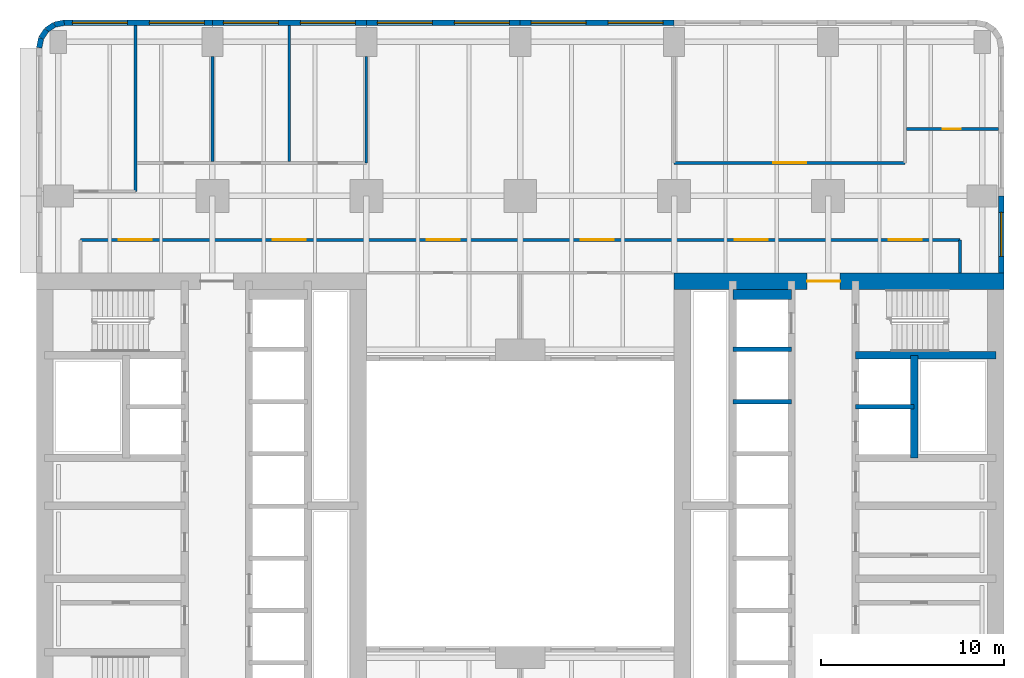
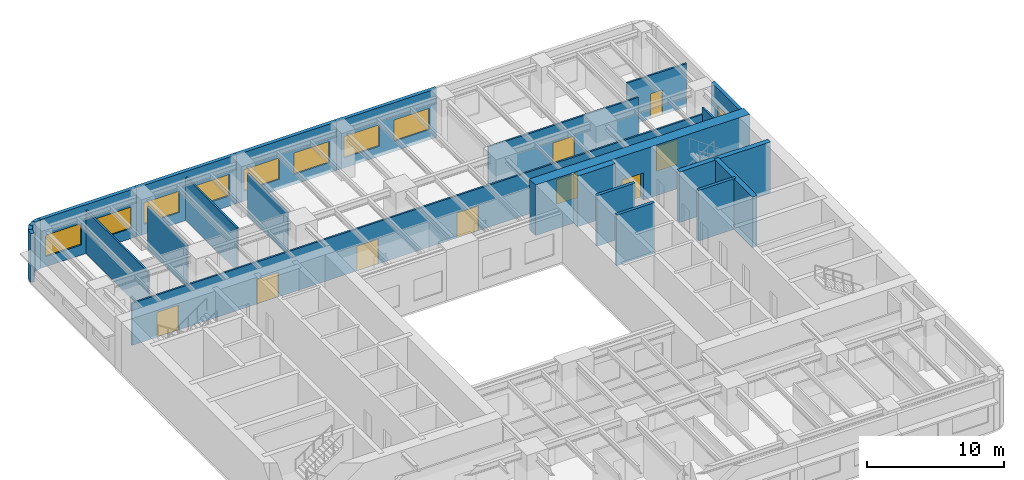
# One storey, part 7 of 14: 24 walls, 9 doors, 9 windows, 18 openings.
"""IFC4 building model written with IfcOpenShell, lengths in metres."""

from ifc_helpers import new_model, si_unit, direction, frame, frame_2d, origin, place, context, subcontext, project, spatial, rectangle, extrude, material, layer, layer_set, type_object, element, fill, save


model = new_model("IFC4")

# Units and contexts
model_context = context("Model", 3, precision=1e-05, world=origin(), true_north=direction((0.0, 1.0)))
body_context = subcontext(model_context, "Body", "Model", "MODEL_VIEW")
ifc_project = project(units=[si_unit("LENGTHUNIT", "METRE"), si_unit("AREAUNIT", "SQUARE_METRE"), si_unit("VOLUMEUNIT", "CUBIC_METRE"), si_unit("PLANEANGLEUNIT", "RADIAN"), si_unit("MASSUNIT", "GRAM", prefix="KILO")], contexts=[model_context])

# Site, building, storey
site_placement = place(None, origin())
site = spatial("IfcSite", under=ifc_project, at=site_placement, CompositionType="ELEMENT")
building_placement = place(site_placement, origin())
building = spatial("IfcBuilding", under=site, at=building_placement, Name="Claustro Exchange Tower", CompositionType="ELEMENT")
storey_placement = place(building_placement, frame((0.0, 0.0, 72.89990234375)))
storey = spatial("IfcBuildingStorey", under=building, at=storey_placement, Name="L16", CompositionType="ELEMENT", Elevation=72.89990234375)

# Walls
ifc_material_1 = material(Name="Gypsum board on steel studs", Category="steel")
ifc_layer_1 = layer(ifc_material_1, 0.14990234375)
ifc_layer_set_1 = layer_set([ifc_layer_1], Name="Gypsum board on steel studs")
wall_type_1 = type_object("IfcWallType", Name="P1 150 plasterboard partition", PredefinedType="PARTITIONING", material=ifc_layer_set_1)
wall_1_placement = place(storey_placement, frame((4.199951171875, 42.25, 0.0), z_axis=(0.0, 0.0, 1.0), x_axis=(0.0, 1.0, 0.0)))
element("IfcWall", 1, at=wall_1_placement, inside=storey, type_object=wall_type_1, Name="Partition P1 L16", PredefinedType="PARTITIONING", context=body_context, shape_type="SweptSolid", body=[
    extrude(rectangle(XDim=9.052001953125, YDim=0.14990234375, at=frame_2d((4.52587890625, 0.0))), origin(), (0.0, 0.0, 1.0), 3.840087890625),
])
wall_2_placement = place(storey_placement, frame((8.39990234375, 43.8740234375, 0.0), z_axis=(0.0, 0.0, 1.0), x_axis=(0.0, 1.0, 0.0)))
element("IfcWall", 2, at=wall_2_placement, inside=storey, type_object=wall_type_1, Name="Partition P1 L16", PredefinedType="PARTITIONING", context=body_context, shape_type="SweptSolid", body=[
    extrude(rectangle(XDim=5.72705078125, YDim=0.14990234375, at=frame_2d((2.863525390625, 0.0))), origin(), (0.0, 0.0, 1.0), 3.739990234375),
])
wall_3_placement = place(storey_placement, frame((12.60009765625, 43.8740234375, 0.0), z_axis=(0.0, 0.0, 1.0), x_axis=(0.0, 1.0, 0.0)))
element("IfcWall", 3, at=wall_3_placement, inside=storey, type_object=wall_type_1, Name="Partition P1 L16", PredefinedType="PARTITIONING", context=body_context, shape_type="SweptSolid", body=[
    extrude(rectangle(XDim=7.427978515625, YDim=0.14990234375, at=frame_2d((3.7138671875, 0.0))), origin(), (0.0, 0.0, 1.0), 3.840087890625),
])
wall_4_placement = place(storey_placement, frame((16.800048828125, 43.800048828125, 0.0), z_axis=(0.0, 0.0, 1.0), x_axis=(0.0, 1.0, 0.0)))
element("IfcWall", 4, at=wall_4_placement, inside=storey, type_object=wall_type_1, Name="Partition P1 L16", PredefinedType="PARTITIONING", context=body_context, shape_type="SweptSolid", body=[
    extrude(rectangle(XDim=5.801025390625, YDim=0.14990234375, at=frame_2d((2.900390625, 0.0))), origin(), (0.0, 0.0, 1.0), 3.739990234375),
])

# Wall, opening, door
wall_5_placement = place(storey_placement, frame((46.27392578125, 45.64990234375, 0.0), z_axis=(0.0, 0.0, 1.0), x_axis=(1.0, 0.0, 0.0)))
wall_5 = element("IfcWall", 5, at=wall_5_placement, inside=storey, type_object=wall_type_1, Name="Partition P1 L16", PredefinedType="PARTITIONING", context=body_context, shape_type="SweptSolid", body=[
    extrude(rectangle(XDim=5.028076171875, YDim=0.14990234375, at=frame_2d((2.51416015625, 0.0))), origin(), (0.0, 0.0, 1.0), 3.840087890625),
])
opening_1_placement = place(wall_5_placement, frame((1.97607421875, 0.0, 0.0)))
opening_1 = element("IfcOpeningElement", 6, at=opening_1_placement, cuts=wall_5, Name="Opening D1", PredefinedType="OPENING", context=body_context, shape_type="SweptSolid", body=[
    extrude(rectangle(XDim=1.0, YDim=2.199951171875, at=frame_2d((0.5, 1.10009765625))), frame((0.0, 0.0849609375, 0.0), z_axis=(0.0, -1.0, 0.0), x_axis=(1.0, 0.0, 0.0)), (0.0, 0.0, 1.0), 0.169921875),
])
ifc_material_2 = material(Name="Timber door, oak veneer", Category="wood")
door_type_1 = type_object("IfcDoorType", Name="D1 1000 x 2200 single door", OperationType="SINGLE_SWING_LEFT", PredefinedType="DOOR", material=ifc_material_2)
door_1_placement = place(opening_1_placement, origin())
door_1 = element("IfcDoor", 7, at=door_1_placement, inside=storey, type_object=door_type_1, Name="Door D1 L16", OperationType="SINGLE_SWING_LEFT", OverallHeight=2.199951171875, OverallWidth=1.0, PredefinedType="DOOR", context=body_context, shape_type="SweptSolid", body=[
    extrude(rectangle(XDim=1.0, YDim=2.199951171875, at=frame_2d((0.5, 1.10009765625))), frame((0.0, 0.02490234375, 0.0), z_axis=(0.0, -1.0, 0.0), x_axis=(1.0, 0.0, 0.0)), (0.0, 0.0, 1.0), 0.050048828125),
])
fill(opening_1, door_1)

wall_6_placement = place(storey_placement, frame((33.60009765625, 43.800048828125, 0.0), z_axis=(0.0, 0.0, 1.0), x_axis=(1.0, 0.0, 0.0)))
wall_6 = element("IfcWall", 8, at=wall_6_placement, inside=storey, type_object=wall_type_1, Name="Partition P1 L16", PredefinedType="PARTITIONING", context=body_context, shape_type="SweptSolid", body=[
    extrude(rectangle(XDim=12.599853515625, YDim=0.14990234375, at=frame_2d((6.2998046875, 0.0))), origin(), (0.0, 0.0, 1.0), 3.739990234375),
])
opening_2_placement = place(wall_6_placement, frame((5.39990234375, 0.0, 0.0)))
opening_2 = element("IfcOpeningElement", 9, at=opening_2_placement, cuts=wall_6, Name="Opening D2", PredefinedType="OPENING", context=body_context, shape_type="SweptSolid", body=[
    extrude(rectangle(XDim=1.800048828125, YDim=2.199951171875, at=frame_2d((0.89990234375, 1.10009765625))), frame((0.0, 0.0849609375, 0.0), z_axis=(0.0, -1.0, 0.0), x_axis=(1.0, 0.0, 0.0)), (0.0, 0.0, 1.0), 0.169921875),
])
ifc_material_3 = material(Name="Timber door, oak veneer", Category="wood")
door_type_2 = type_object("IfcDoorType", Name="D2 1800 x 2200 double door", OperationType="DOUBLE_DOOR_SINGLE_SWING", PredefinedType="DOOR", material=ifc_material_3)
door_2_placement = place(opening_2_placement, frame((1.800048828125, 0.0, 0.0), z_axis=(0.0, 0.0, 1.0), x_axis=(-1.0, 0.0, 0.0)))
door_2 = element("IfcDoor", 10, at=door_2_placement, inside=storey, type_object=door_type_2, Name="Double door D2 L16", OperationType="DOUBLE_DOOR_SINGLE_SWING", OverallHeight=2.199951171875, OverallWidth=1.800048828125, PredefinedType="DOOR", context=body_context, shape_type="SweptSolid", body=[
    extrude(rectangle(XDim=1.800048828125, YDim=2.199951171875, at=frame_2d((0.89990234375, 1.10009765625))), frame((0.0, 0.02490234375, 0.0), z_axis=(0.0, -1.0, 0.0), x_axis=(1.0, 0.0, 0.0)), (0.0, 0.0, 1.0), 0.050048828125),
])
fill(opening_2, door_2)

# Wall, openings, doors
wall_7_placement = place(storey_placement, frame((1.199951171875, 39.60009765625, 0.0), z_axis=(0.0, 0.0, 1.0), x_axis=(1.0, 0.0, 0.0)))
wall_7 = element("IfcWall", 11, at=wall_7_placement, inside=storey, type_object=wall_type_1, Name="Partition P1 L16", PredefinedType="PARTITIONING", context=body_context, shape_type="SweptSolid", body=[
    extrude(rectangle(XDim=48.0, YDim=0.14990234375, at=frame_2d((24.0, 0.0))), origin(), (0.0, 0.0, 1.0), 3.739990234375),
])
opening_3_placement = place(wall_7_placement, frame((2.10009765625, 0.0, 0.0)))
opening_3 = element("IfcOpeningElement", 12, at=opening_3_placement, cuts=wall_7, Name="Opening D2", PredefinedType="OPENING", context=body_context, shape_type="SweptSolid", body=[
    extrude(rectangle(XDim=1.800048828125, YDim=2.199951171875, at=frame_2d((0.89990234375, 1.10009765625))), frame((0.0, 0.0849609375, 0.0), z_axis=(0.0, -1.0, 0.0), x_axis=(1.0, 0.0, 0.0)), (0.0, 0.0, 1.0), 0.169921875),
])
opening_4_placement = place(wall_7_placement, frame((10.5, 0.0, 0.0)))
opening_4 = element("IfcOpeningElement", 13, at=opening_4_placement, cuts=wall_7, Name="Opening D2", PredefinedType="OPENING", context=body_context, shape_type="SweptSolid", body=[
    extrude(rectangle(XDim=1.800048828125, YDim=2.199951171875, at=frame_2d((0.89990234375, 1.10009765625))), frame((0.0, 0.0849609375, 0.0), z_axis=(0.0, -1.0, 0.0), x_axis=(1.0, 0.0, 0.0)), (0.0, 0.0, 1.0), 0.169921875),
])
opening_5_placement = place(wall_7_placement, frame((18.89990234375, 0.0, 0.0)))
opening_5 = element("IfcOpeningElement", 14, at=opening_5_placement, cuts=wall_7, Name="Opening D2", PredefinedType="OPENING", context=body_context, shape_type="SweptSolid", body=[
    extrude(rectangle(XDim=1.800048828125, YDim=2.199951171875, at=frame_2d((0.89990234375, 1.10009765625))), frame((0.0, 0.0849609375, 0.0), z_axis=(0.0, -1.0, 0.0), x_axis=(1.0, 0.0, 0.0)), (0.0, 0.0, 1.0), 0.169921875),
])
opening_6_placement = place(wall_7_placement, frame((27.300048828125, 0.0, 0.0)))
opening_6 = element("IfcOpeningElement", 15, at=opening_6_placement, cuts=wall_7, Name="Opening D2", PredefinedType="OPENING", context=body_context, shape_type="SweptSolid", body=[
    extrude(rectangle(XDim=1.800048828125, YDim=2.199951171875, at=frame_2d((0.89990234375, 1.10009765625))), frame((0.0, 0.0849609375, 0.0), z_axis=(0.0, -1.0, 0.0), x_axis=(1.0, 0.0, 0.0)), (0.0, 0.0, 1.0), 0.169921875),
])
opening_7_placement = place(wall_7_placement, frame((35.699951171875, 0.0, 0.0)))
opening_7 = element("IfcOpeningElement", 16, at=opening_7_placement, cuts=wall_7, Name="Opening D2", PredefinedType="OPENING", context=body_context, shape_type="SweptSolid", body=[
    extrude(rectangle(XDim=1.800048828125, YDim=2.199951171875, at=frame_2d((0.89990234375, 1.10009765625))), frame((0.0, 0.0849609375, 0.0), z_axis=(0.0, -1.0, 0.0), x_axis=(1.0, 0.0, 0.0)), (0.0, 0.0, 1.0), 0.169921875),
])
opening_8_placement = place(wall_7_placement, frame((44.10009765625, 0.0, 0.0)))
opening_8 = element("IfcOpeningElement", 17, at=opening_8_placement, cuts=wall_7, Name="Opening D2", PredefinedType="OPENING", context=body_context, shape_type="SweptSolid", body=[
    extrude(rectangle(XDim=1.800048828125, YDim=2.199951171875, at=frame_2d((0.89990234375, 1.10009765625))), frame((0.0, 0.0849609375, 0.0), z_axis=(0.0, -1.0, 0.0), x_axis=(1.0, 0.0, 0.0)), (0.0, 0.0, 1.0), 0.169921875),
])
door_3_placement = place(opening_3_placement, origin())
door_3 = element("IfcDoor", 18, at=door_3_placement, inside=storey, type_object=door_type_2, Name="Double door D2 L16", OperationType="DOUBLE_DOOR_SINGLE_SWING", OverallHeight=2.199951171875, OverallWidth=1.800048828125, PredefinedType="DOOR", context=body_context, shape_type="SweptSolid", body=[
    extrude(rectangle(XDim=1.800048828125, YDim=2.199951171875, at=frame_2d((0.89990234375, 1.10009765625))), frame((0.0, 0.02490234375, 0.0), z_axis=(0.0, -1.0, 0.0), x_axis=(1.0, 0.0, 0.0)), (0.0, 0.0, 1.0), 0.050048828125),
])
fill(opening_3, door_3)
door_4_placement = place(opening_4_placement, origin())
door_4 = element("IfcDoor", 19, at=door_4_placement, inside=storey, type_object=door_type_2, Name="Double door D2 L16", OperationType="DOUBLE_DOOR_SINGLE_SWING", OverallHeight=2.199951171875, OverallWidth=1.800048828125, PredefinedType="DOOR", context=body_context, shape_type="SweptSolid", body=[
    extrude(rectangle(XDim=1.800048828125, YDim=2.199951171875, at=frame_2d((0.89990234375, 1.10009765625))), frame((0.0, 0.02490234375, 0.0), z_axis=(0.0, -1.0, 0.0), x_axis=(1.0, 0.0, 0.0)), (0.0, 0.0, 1.0), 0.050048828125),
])
fill(opening_4, door_4)
door_5_placement = place(opening_5_placement, origin())
door_5 = element("IfcDoor", 20, at=door_5_placement, inside=storey, type_object=door_type_2, Name="Double door D2 L16", OperationType="DOUBLE_DOOR_SINGLE_SWING", OverallHeight=2.199951171875, OverallWidth=1.800048828125, PredefinedType="DOOR", context=body_context, shape_type="SweptSolid", body=[
    extrude(rectangle(XDim=1.800048828125, YDim=2.199951171875, at=frame_2d((0.89990234375, 1.10009765625))), frame((0.0, 0.02490234375, 0.0), z_axis=(0.0, -1.0, 0.0), x_axis=(1.0, 0.0, 0.0)), (0.0, 0.0, 1.0), 0.050048828125),
])
fill(opening_5, door_5)
door_6_placement = place(opening_6_placement, origin())
door_6 = element("IfcDoor", 21, at=door_6_placement, inside=storey, type_object=door_type_2, Name="Double door D2 L16", OperationType="DOUBLE_DOOR_SINGLE_SWING", OverallHeight=2.199951171875, OverallWidth=1.800048828125, PredefinedType="DOOR", context=body_context, shape_type="SweptSolid", body=[
    extrude(rectangle(XDim=1.800048828125, YDim=2.199951171875, at=frame_2d((0.89990234375, 1.10009765625))), frame((0.0, 0.02490234375, 0.0), z_axis=(0.0, -1.0, 0.0), x_axis=(1.0, 0.0, 0.0)), (0.0, 0.0, 1.0), 0.050048828125),
])
fill(opening_6, door_6)
door_7_placement = place(opening_7_placement, origin())
door_7 = element("IfcDoor", 22, at=door_7_placement, inside=storey, type_object=door_type_2, Name="Double door D2 L16", OperationType="DOUBLE_DOOR_SINGLE_SWING", OverallHeight=2.199951171875, OverallWidth=1.800048828125, PredefinedType="DOOR", context=body_context, shape_type="SweptSolid", body=[
    extrude(rectangle(XDim=1.800048828125, YDim=2.199951171875, at=frame_2d((0.89990234375, 1.10009765625))), frame((0.0, 0.02490234375, 0.0), z_axis=(0.0, -1.0, 0.0), x_axis=(1.0, 0.0, 0.0)), (0.0, 0.0, 1.0), 0.050048828125),
])
fill(opening_7, door_7)
door_8_placement = place(opening_8_placement, origin())
door_8 = element("IfcDoor", 23, at=door_8_placement, inside=storey, type_object=door_type_2, Name="Double door D2 L16", OperationType="DOUBLE_DOOR_SINGLE_SWING", OverallHeight=2.199951171875, OverallWidth=1.800048828125, PredefinedType="DOOR", context=body_context, shape_type="SweptSolid", body=[
    extrude(rectangle(XDim=1.800048828125, YDim=2.199951171875, at=frame_2d((0.89990234375, 1.10009765625))), frame((0.0, 0.02490234375, 0.0), z_axis=(0.0, -1.0, 0.0), x_axis=(1.0, 0.0, 0.0)), (0.0, 0.0, 1.0), 0.050048828125),
])
fill(opening_8, door_8)

# Walls
wall_8_placement = place(storey_placement, frame((49.199951171875, 37.800048828125, 0.0), z_axis=(0.0, 0.0, 1.0), x_axis=(0.0, 1.0, 0.0)))
element("IfcWall", 24, at=wall_8_placement, inside=storey, type_object=wall_type_1, Name="Partition P1 L16", PredefinedType="PARTITIONING", context=body_context, shape_type="SweptSolid", body=[
    extrude(rectangle(XDim=1.800048828125, YDim=0.14990234375, at=frame_2d((0.89990234375, 0.0))), origin(), (0.0, 0.0, 1.0), 4.340087890625),
])
ifc_material_4 = material(Name="Concrete HA-40 (C40/50), precast, white cement, acid-etched", Category="concrete")
ifc_layer_2 = layer(ifc_material_4, 0.300048828125)
ifc_layer_set_2 = layer_set([ifc_layer_2], Name="Concrete HA-40 (C40/50), precast, white cement, acid-etched")
wall_type_2 = type_object("IfcWallType", Name="PC1 300 precast concrete pier panel", PredefinedType="SOLIDWALL", material=ifc_layer_set_2)
wall_9_placement = place(storey_placement, frame((-1.050048828125, 50.085205078125, 0.0), z_axis=(0.0, 0.0, 1.0), x_axis=(0.195073962632, 0.980788534345, 0.0)))
element("IfcWall", 25, at=wall_9_placement, inside=storey, type_object=wall_type_2, Name="Precast pier panel PC1 L16", PredefinedType="SOLIDWALL", context=body_context, shape_type="SweptSolid", body=[
    extrude(rectangle(XDim=0.540771484375, YDim=0.300048828125, at=frame_2d((0.2705078125, 0.0))), origin(), (0.0, 0.0, 1.0), 4.340087890625),
])
for number, where, z_axis, x_axis, name in (
    (26, (-0.944580078125, 50.615478515625, 0.0), (0.0, 0.0, 1.0), (0.555557463938, 0.831478144188, 0.0), "Precast pier panel PC1 L16"),
    (27, (-0.652587890625, 51.052490234375, 0.0), (0.0, 0.0, 1.0), (0.831478144188, 0.555557463938, 0.0), "Precast pier panel PC1 L16"),
):
    element("IfcWall", number, at=place(storey_placement, frame(where, z_axis=z_axis, x_axis=x_axis)), inside=storey, type_object=wall_type_2, Name=name, PredefinedType="SOLIDWALL", context=body_context, shape_type="SweptSolid", body=[
        extrude(rectangle(XDim=0.525634765625, YDim=0.300048828125, at=frame_2d((0.2626953125, 0.0))), origin(), (0.0, 0.0, 1.0), 4.340087890625),
    ])
wall_10_placement = place(storey_placement, frame((-0.215576171875, 51.344482421875, 0.0), z_axis=(0.0, 0.0, 1.0), x_axis=(0.980788534345, 0.195073962632, 0.0)))
element("IfcWall", 28, at=wall_10_placement, inside=storey, type_object=wall_type_2, Name="Precast pier panel PC1 L16", PredefinedType="SOLIDWALL", context=body_context, shape_type="SweptSolid", body=[
    extrude(rectangle(XDim=0.540771484375, YDim=0.300048828125, at=frame_2d((0.2705078125, 0.0))), origin(), (0.0, 0.0, 1.0), 4.340087890625),
])

# Wall, openings, windows
wall_11_placement = place(storey_placement, frame((0.314697265625, 51.449951171875, 0.0), z_axis=(0.0, 0.0, 1.0), x_axis=(1.0, 0.0, 0.0)))
wall_11 = element("IfcWall", 29, at=wall_11_placement, inside=storey, type_object=wall_type_2, Name="Precast pier panel PC1 L16", PredefinedType="SOLIDWALL", context=body_context, shape_type="SweptSolid", body=[
    extrude(rectangle(XDim=8.085205078125, YDim=0.300048828125, at=frame_2d((4.04248046875, 0.0))), origin(), (0.0, 0.0, 1.0), 4.340087890625),
])
opening_9_placement = place(wall_11_placement, frame((0.442626953125, 0.0, 0.89990234375)))
opening_9 = element("IfcOpeningElement", 30, at=opening_9_placement, cuts=wall_11, Name="Opening W1", PredefinedType="OPENING", context=body_context, shape_type="SweptSolid", body=[
    extrude(rectangle(XDim=3.0, YDim=1.89990234375, at=frame_2d((1.5, 0.949951171875))), frame((0.0, 0.159912109375, 0.0), z_axis=(0.0, -1.0, 0.0), x_axis=(1.0, 0.0, 0.0)), (0.0, 0.0, 1.0), 0.320068359375),
])
opening_10_placement = place(wall_11_placement, frame((4.642578125, 0.0, 0.89990234375)))
opening_10 = element("IfcOpeningElement", 31, at=opening_10_placement, cuts=wall_11, Name="Opening W1", PredefinedType="OPENING", context=body_context, shape_type="SweptSolid", body=[
    extrude(rectangle(XDim=3.0, YDim=1.89990234375, at=frame_2d((1.5, 0.949951171875))), frame((0.0, 0.159912109375, 0.0), z_axis=(0.0, -1.0, 0.0), x_axis=(1.0, 0.0, 0.0)), (0.0, 0.0, 1.0), 0.320068359375),
])
ifc_material_5 = material(Name="Aluminium frame, clear double glazing", Category="aluminium")
window_type_1 = type_object("IfcWindowType", Name="W1 3000 x 1900 window", PartitioningType="SINGLE_PANEL", PredefinedType="WINDOW", material=ifc_material_5)
window_1_placement = place(opening_9_placement, origin())
window_1 = element("IfcWindow", 32, at=window_1_placement, inside=storey, type_object=window_type_1, Name="Window W1 L16", OverallHeight=1.89990234375, OverallWidth=3.0, PartitioningType="SINGLE_PANEL", PredefinedType="WINDOW", context=body_context, shape_type="SweptSolid", body=[
    extrude(rectangle(XDim=3.0, YDim=1.89990234375, at=frame_2d((1.5, 0.949951171875))), frame((0.0, 0.030029296875, 0.0), z_axis=(0.0, -1.0, 0.0), x_axis=(1.0, 0.0, 0.0)), (0.0, 0.0, 1.0), 0.06005859375),
])
fill(opening_9, window_1)
window_2_placement = place(opening_10_placement, origin())
window_2 = element("IfcWindow", 33, at=window_2_placement, inside=storey, type_object=window_type_1, Name="Window W1 L16", OverallHeight=1.89990234375, OverallWidth=3.0, PartitioningType="SINGLE_PANEL", PredefinedType="WINDOW", context=body_context, shape_type="SweptSolid", body=[
    extrude(rectangle(XDim=3.0, YDim=1.89990234375, at=frame_2d((1.5, 0.949951171875))), frame((0.0, 0.030029296875, 0.0), z_axis=(0.0, -1.0, 0.0), x_axis=(1.0, 0.0, 0.0)), (0.0, 0.0, 1.0), 0.06005859375),
])
fill(opening_10, window_2)

wall_12_placement = place(storey_placement, frame((8.39990234375, 51.449951171875, 0.0), z_axis=(0.0, 0.0, 1.0), x_axis=(1.0, 0.0, 0.0)))
wall_12 = element("IfcWall", 34, at=wall_12_placement, inside=storey, type_object=wall_type_2, Name="Precast pier panel PC1 L16", PredefinedType="SOLIDWALL", context=body_context, shape_type="SweptSolid", body=[
    extrude(rectangle(XDim=8.400146484375, YDim=0.300048828125, at=frame_2d((4.2001953125, 0.0))), origin(), (0.0, 0.0, 1.0), 4.340087890625),
])
opening_11_placement = place(wall_12_placement, frame((0.60009765625, 0.0, 0.89990234375)))
opening_11 = element("IfcOpeningElement", 35, at=opening_11_placement, cuts=wall_12, Name="Opening W1", PredefinedType="OPENING", context=body_context, shape_type="SweptSolid", body=[
    extrude(rectangle(XDim=3.0, YDim=1.89990234375, at=frame_2d((1.5, 0.949951171875))), frame((0.0, 0.159912109375, 0.0), z_axis=(0.0, -1.0, 0.0), x_axis=(1.0, 0.0, 0.0)), (0.0, 0.0, 1.0), 0.320068359375),
])
opening_12_placement = place(wall_12_placement, frame((4.800048828125, 0.0, 0.89990234375)))
opening_12 = element("IfcOpeningElement", 36, at=opening_12_placement, cuts=wall_12, Name="Opening W1", PredefinedType="OPENING", context=body_context, shape_type="SweptSolid", body=[
    extrude(rectangle(XDim=3.0, YDim=1.89990234375, at=frame_2d((1.5, 0.949951171875))), frame((0.0, 0.159912109375, 0.0), z_axis=(0.0, -1.0, 0.0), x_axis=(1.0, 0.0, 0.0)), (0.0, 0.0, 1.0), 0.320068359375),
])
window_3_placement = place(opening_11_placement, origin())
window_3 = element("IfcWindow", 37, at=window_3_placement, inside=storey, type_object=window_type_1, Name="Window W1 L16", OverallHeight=1.89990234375, OverallWidth=3.0, PartitioningType="SINGLE_PANEL", PredefinedType="WINDOW", context=body_context, shape_type="SweptSolid", body=[
    extrude(rectangle(XDim=3.0, YDim=1.89990234375, at=frame_2d((1.5, 0.949951171875))), frame((0.0, 0.030029296875, 0.0), z_axis=(0.0, -1.0, 0.0), x_axis=(1.0, 0.0, 0.0)), (0.0, 0.0, 1.0), 0.06005859375),
])
fill(opening_11, window_3)
window_4_placement = place(opening_12_placement, origin())
window_4 = element("IfcWindow", 38, at=window_4_placement, inside=storey, type_object=window_type_1, Name="Window W1 L16", OverallHeight=1.89990234375, OverallWidth=3.0, PartitioningType="SINGLE_PANEL", PredefinedType="WINDOW", context=body_context, shape_type="SweptSolid", body=[
    extrude(rectangle(XDim=3.0, YDim=1.89990234375, at=frame_2d((1.5, 0.949951171875))), frame((0.0, 0.030029296875, 0.0), z_axis=(0.0, -1.0, 0.0), x_axis=(1.0, 0.0, 0.0)), (0.0, 0.0, 1.0), 0.06005859375),
])
fill(opening_12, window_4)

wall_13_placement = place(storey_placement, frame((16.800048828125, 51.449951171875, 0.0), z_axis=(0.0, 0.0, 1.0), x_axis=(1.0, 0.0, 0.0)))
wall_13 = element("IfcWall", 39, at=wall_13_placement, inside=storey, type_object=wall_type_2, Name="Precast pier panel PC1 L16", PredefinedType="SOLIDWALL", context=body_context, shape_type="SweptSolid", body=[
    extrude(rectangle(XDim=8.39990234375, YDim=0.300048828125, at=frame_2d((4.199951171875, 0.0))), origin(), (0.0, 0.0, 1.0), 4.340087890625),
])
opening_13_placement = place(wall_13_placement, frame((0.60009765625, 0.0, 0.89990234375)))
opening_13 = element("IfcOpeningElement", 40, at=opening_13_placement, cuts=wall_13, Name="Opening W1", PredefinedType="OPENING", context=body_context, shape_type="SweptSolid", body=[
    extrude(rectangle(XDim=3.0, YDim=1.89990234375, at=frame_2d((1.5, 0.949951171875))), frame((0.0, 0.159912109375, 0.0), z_axis=(0.0, -1.0, 0.0), x_axis=(1.0, 0.0, 0.0)), (0.0, 0.0, 1.0), 0.320068359375),
])
opening_14_placement = place(wall_13_placement, frame((4.800048828125, 0.0, 0.89990234375)))
opening_14 = element("IfcOpeningElement", 41, at=opening_14_placement, cuts=wall_13, Name="Opening W1", PredefinedType="OPENING", context=body_context, shape_type="SweptSolid", body=[
    extrude(rectangle(XDim=3.0, YDim=1.89990234375, at=frame_2d((1.5, 0.949951171875))), frame((0.0, 0.159912109375, 0.0), z_axis=(0.0, -1.0, 0.0), x_axis=(1.0, 0.0, 0.0)), (0.0, 0.0, 1.0), 0.320068359375),
])
window_5_placement = place(opening_13_placement, origin())
window_5 = element("IfcWindow", 42, at=window_5_placement, inside=storey, type_object=window_type_1, Name="Window W1 L16", OverallHeight=1.89990234375, OverallWidth=3.0, PartitioningType="SINGLE_PANEL", PredefinedType="WINDOW", context=body_context, shape_type="SweptSolid", body=[
    extrude(rectangle(XDim=3.0, YDim=1.89990234375, at=frame_2d((1.5, 0.949951171875))), frame((0.0, 0.030029296875, 0.0), z_axis=(0.0, -1.0, 0.0), x_axis=(1.0, 0.0, 0.0)), (0.0, 0.0, 1.0), 0.06005859375),
])
fill(opening_13, window_5)
window_6_placement = place(opening_14_placement, origin())
window_6 = element("IfcWindow", 43, at=window_6_placement, inside=storey, type_object=window_type_1, Name="Window W1 L16", OverallHeight=1.89990234375, OverallWidth=3.0, PartitioningType="SINGLE_PANEL", PredefinedType="WINDOW", context=body_context, shape_type="SweptSolid", body=[
    extrude(rectangle(XDim=3.0, YDim=1.89990234375, at=frame_2d((1.5, 0.949951171875))), frame((0.0, 0.030029296875, 0.0), z_axis=(0.0, -1.0, 0.0), x_axis=(1.0, 0.0, 0.0)), (0.0, 0.0, 1.0), 0.06005859375),
])
fill(opening_14, window_6)

wall_14_placement = place(storey_placement, frame((25.199951171875, 51.449951171875, 0.0), z_axis=(0.0, 0.0, 1.0), x_axis=(1.0, 0.0, 0.0)))
wall_14 = element("IfcWall", 44, at=wall_14_placement, inside=storey, type_object=wall_type_2, Name="Precast pier panel PC1 L16", PredefinedType="SOLIDWALL", context=body_context, shape_type="SweptSolid", body=[
    extrude(rectangle(XDim=8.400146484375, YDim=0.300048828125, at=frame_2d((4.2001953125, 0.0))), origin(), (0.0, 0.0, 1.0), 4.340087890625),
])
opening_15_placement = place(wall_14_placement, frame((0.60009765625, 0.0, 0.89990234375)))
opening_15 = element("IfcOpeningElement", 45, at=opening_15_placement, cuts=wall_14, Name="Opening W1", PredefinedType="OPENING", context=body_context, shape_type="SweptSolid", body=[
    extrude(rectangle(XDim=3.0, YDim=1.89990234375, at=frame_2d((1.5, 0.949951171875))), frame((0.0, 0.159912109375, 0.0), z_axis=(0.0, -1.0, 0.0), x_axis=(1.0, 0.0, 0.0)), (0.0, 0.0, 1.0), 0.320068359375),
])
opening_16_placement = place(wall_14_placement, frame((4.800048828125, 0.0, 0.89990234375)))
opening_16 = element("IfcOpeningElement", 46, at=opening_16_placement, cuts=wall_14, Name="Opening W1", PredefinedType="OPENING", context=body_context, shape_type="SweptSolid", body=[
    extrude(rectangle(XDim=3.0, YDim=1.89990234375, at=frame_2d((1.5, 0.949951171875))), frame((0.0, 0.159912109375, 0.0), z_axis=(0.0, -1.0, 0.0), x_axis=(1.0, 0.0, 0.0)), (0.0, 0.0, 1.0), 0.320068359375),
])
window_7_placement = place(opening_15_placement, origin())
window_7 = element("IfcWindow", 47, at=window_7_placement, inside=storey, type_object=window_type_1, Name="Window W1 L16", OverallHeight=1.89990234375, OverallWidth=3.0, PartitioningType="SINGLE_PANEL", PredefinedType="WINDOW", context=body_context, shape_type="SweptSolid", body=[
    extrude(rectangle(XDim=3.0, YDim=1.89990234375, at=frame_2d((1.5, 0.949951171875))), frame((0.0, 0.030029296875, 0.0), z_axis=(0.0, -1.0, 0.0), x_axis=(1.0, 0.0, 0.0)), (0.0, 0.0, 1.0), 0.06005859375),
])
fill(opening_15, window_7)
window_8_placement = place(opening_16_placement, origin())
window_8 = element("IfcWindow", 48, at=window_8_placement, inside=storey, type_object=window_type_1, Name="Window W1 L16", OverallHeight=1.89990234375, OverallWidth=3.0, PartitioningType="SINGLE_PANEL", PredefinedType="WINDOW", context=body_context, shape_type="SweptSolid", body=[
    extrude(rectangle(XDim=3.0, YDim=1.89990234375, at=frame_2d((1.5, 0.949951171875))), frame((0.0, 0.030029296875, 0.0), z_axis=(0.0, -1.0, 0.0), x_axis=(1.0, 0.0, 0.0)), (0.0, 0.0, 1.0), 0.06005859375),
])
fill(opening_16, window_8)

# Wall, opening, window
wall_15_placement = place(storey_placement, frame((51.449951171875, 42.0, 0.0), z_axis=(0.0, 0.0, 1.0), x_axis=(0.0, -1.0, 0.0)))
wall_15 = element("IfcWall", 49, at=wall_15_placement, inside=storey, type_object=wall_type_2, Name="Precast pier panel PC1 L16", PredefinedType="SOLIDWALL", context=body_context, shape_type="SweptSolid", body=[
    extrude(rectangle(XDim=4.199951171875, YDim=0.300048828125, at=frame_2d((2.10009765625, 0.0))), origin(), (0.0, 0.0, 1.0), 4.340087890625),
])
opening_17_placement = place(wall_15_placement, frame((0.89990234375, 0.0, 0.89990234375)))
opening_17 = element("IfcOpeningElement", 50, at=opening_17_placement, cuts=wall_15, Name="Opening W2", PredefinedType="OPENING", context=body_context, shape_type="SweptSolid", body=[
    extrude(rectangle(XDim=2.39990234375, YDim=1.89990234375, at=frame_2d((1.199951171875, 0.949951171875))), frame((0.0, 0.159912109375, 0.0), z_axis=(0.0, -1.0, 0.0), x_axis=(1.0, 0.0, 0.0)), (0.0, 0.0, 1.0), 0.320068359375),
])
ifc_material_6 = material(Name="Aluminium frame, clear double glazing", Category="aluminium")
window_type_2 = type_object("IfcWindowType", Name="W2 2400 x 1900 window", PartitioningType="SINGLE_PANEL", PredefinedType="WINDOW", material=ifc_material_6)
window_9_placement = place(opening_17_placement, origin())
window_9 = element("IfcWindow", 51, at=window_9_placement, inside=storey, type_object=window_type_2, Name="Window W2 L16", OverallHeight=1.89990234375, OverallWidth=2.39990234375, PartitioningType="SINGLE_PANEL", PredefinedType="WINDOW", context=body_context, shape_type="SweptSolid", body=[
    extrude(rectangle(XDim=2.39990234375, YDim=1.89990234375, at=frame_2d((1.199951171875, 0.949951171875))), frame((0.0, 0.030029296875, 0.0), z_axis=(0.0, -1.0, 0.0), x_axis=(1.0, 0.0, 0.0)), (0.0, 0.0, 1.0), 0.06005859375),
])
fill(opening_17, window_9)

# Wall, opening, door
ifc_material_7 = material(Name="Concrete HA-70 (C70/85)", Category="concrete")
ifc_layer_3 = layer(ifc_material_7, 0.89990234375)
ifc_layer_set_3 = layer_set([ifc_layer_3], Name="Concrete HA-70 (C70/85)")
wall_type_3 = type_object("IfcWallType", Name="SW1 900 core shear wall", PredefinedType="SHEAR", material=ifc_layer_set_3)
wall_16_placement = place(storey_placement, frame((33.60009765625, 37.35009765625, 0.0), z_axis=(0.0, 0.0, 1.0), x_axis=(1.0, 0.0, 0.0)))
wall_16 = element("IfcWall", 52, at=wall_16_placement, inside=storey, type_object=wall_type_3, Name="Core wall SW1 E core N face L16", PredefinedType="SHEAR", context=body_context, shape_type="SweptSolid", body=[
    extrude(rectangle(XDim=18.0, YDim=0.89990234375, at=frame_2d((9.0, 0.0))), origin(), (0.0, 0.0, 1.0), 4.5),
])
opening_18_placement = place(wall_16_placement, frame((7.25, 0.0, 0.0)))
opening_18 = element("IfcOpeningElement", 53, at=opening_18_placement, cuts=wall_16, Name="Opening D3", PredefinedType="OPENING", context=body_context, shape_type="SweptSolid", body=[
    extrude(rectangle(XDim=1.800048828125, YDim=2.39990234375, at=frame_2d((0.89990234375, 1.199951171875))), frame((0.0, 0.4599609375, 0.0), z_axis=(0.0, -1.0, 0.0), x_axis=(1.0, 0.0, 0.0)), (0.0, 0.0, 1.0), 0.919921875),
])
ifc_material_8 = material(Name="Steel fire door, painted", Category="steel")
door_type_3 = type_object("IfcDoorType", Name="D3 1800 x 2400 fire-rated lobby double door", OperationType="DOUBLE_DOOR_SINGLE_SWING", PredefinedType="DOOR", material=ifc_material_8)
door_9_placement = place(opening_18_placement, frame((1.800048828125, 0.0, 0.0), z_axis=(0.0, 0.0, 1.0), x_axis=(-1.0, 0.0, 0.0)))
door_9 = element("IfcDoor", 54, at=door_9_placement, inside=storey, type_object=door_type_3, Name="Lift lobby door D3 L16", OperationType="DOUBLE_DOOR_SINGLE_SWING", OverallHeight=2.39990234375, OverallWidth=1.800048828125, PredefinedType="DOOR", context=body_context, shape_type="SweptSolid", body=[
    extrude(rectangle(XDim=1.800048828125, YDim=2.39990234375, at=frame_2d((0.89990234375, 1.199951171875))), frame((0.0, 0.02490234375, 0.0), z_axis=(0.0, -1.0, 0.0), x_axis=(1.0, 0.0, 0.0)), (0.0, 0.0, 1.0), 0.050048828125),
])
fill(opening_18, door_9)

# Walls
ifc_material_9 = material(Name="Concrete HA-50 (C50/60)", Category="concrete")
ifc_layer_4 = layer(ifc_material_9, 0.39990234375)
ifc_layer_set_4 = layer_set([ifc_layer_4], Name="Concrete HA-50 (C50/60)")
wall_type_4 = type_object("IfcWallType", Name="SW4 400 internal core wall", PredefinedType="SHEAR", material=ifc_layer_set_4)
wall_17_placement = place(storey_placement, frame((51.14990234375, 33.300048828125, 0.0), z_axis=(0.0, 0.0, 1.0), x_axis=(-1.0, 0.0, 0.0)))
element("IfcWall", 55, at=wall_17_placement, inside=storey, type_object=wall_type_4, Name="Internal core wall SW4 E core L16", PredefinedType="SHEAR", context=body_context, shape_type="SweptSolid", body=[
    extrude(rectangle(XDim=7.64990234375, YDim=0.39990234375, at=frame_2d((3.824951171875, 0.0))), origin(), (0.0, 0.0, 1.0), 4.5),
])
wall_18_placement = place(storey_placement, frame((46.699951171875, 27.699951171875, 0.0), z_axis=(0.0, 0.0, 1.0), x_axis=(0.0, 1.0, 0.0)))
element("IfcWall", 56, at=wall_18_placement, inside=storey, type_object=wall_type_4, Name="Internal core wall SW4 E core L16", PredefinedType="SHEAR", context=body_context, shape_type="SweptSolid", body=[
    extrude(rectangle(XDim=5.60009765625, YDim=0.39990234375, at=frame_2d((2.800048828125, 0.0))), origin(), (0.0, 0.0, 1.0), 4.5),
])
ifc_material_10 = material(Name="Concrete HA-50 (C50/60)", Category="concrete")
ifc_layer_5 = layer(ifc_material_10, 0.25)
ifc_layer_set_5 = layer_set([ifc_layer_5], Name="Concrete HA-50 (C50/60)")
wall_type_5 = type_object("IfcWallType", Name="SW5 250 lift shaft divider wall", PredefinedType="SHEAR", material=ifc_layer_set_5)
for number, where, z_axis, x_axis, name in (
    (57, (46.699951171875, 30.5, 0.0), (0.0, 0.0, 1.0), (-1.0, 0.0, 0.0), "Lift shaft wall E core L16"),
    (58, (40.0, 30.77490234375, 0.0), (0.0, 0.0, 1.0), (-1.0, 0.0, 0.0), "Lift shaft wall E core L16"),
    (59, (40.0, 33.625, 0.0), (0.0, 0.0, 1.0), (-1.0, 0.0, 0.0), "Lift shaft wall E core L16"),
):
    element("IfcWall", number, at=place(storey_placement, frame(where, z_axis=z_axis, x_axis=x_axis)), inside=storey, type_object=wall_type_5, Name=name, PredefinedType="SHEAR", context=body_context, shape_type="SweptSolid", body=[
        extrude(rectangle(XDim=3.199951171875, YDim=0.25, at=frame_2d((1.60009765625, 0.0))), origin(), (0.0, 0.0, 1.0), 4.5),
    ])
ifc_material_11 = material(Name="Concrete HA-50 (C50/60)", Category="concrete")
ifc_layer_6 = layer(ifc_material_11, 0.550048828125)
ifc_layer_set_6 = layer_set([ifc_layer_6], Name="Concrete HA-50 (C50/60)")
wall_type_6 = type_object("IfcWallType", Name="SW6 550 lift shaft end wall", PredefinedType="SHEAR", material=ifc_layer_set_6)
wall_19_placement = place(storey_placement, frame((40.0, 36.625, 0.0), z_axis=(0.0, 0.0, 1.0), x_axis=(-1.0, 0.0, 0.0)))
element("IfcWall", 60, at=wall_19_placement, inside=storey, type_object=wall_type_6, Name="Lift shaft wall E core L16", PredefinedType="SHEAR", context=body_context, shape_type="SweptSolid", body=[
    extrude(rectangle(XDim=3.199951171875, YDim=0.550048828125, at=frame_2d((1.60009765625, 0.0))), origin(), (0.0, 0.0, 1.0), 4.5),
])

save(model, "model.ifc")
